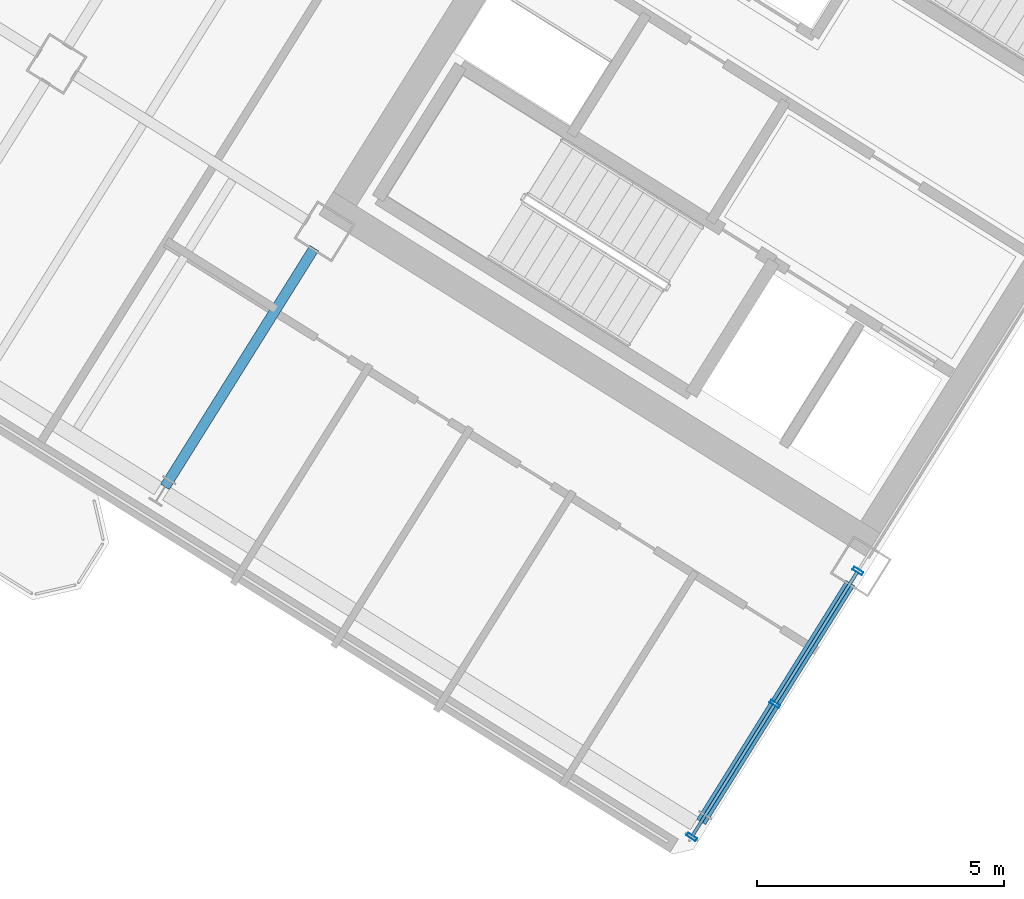
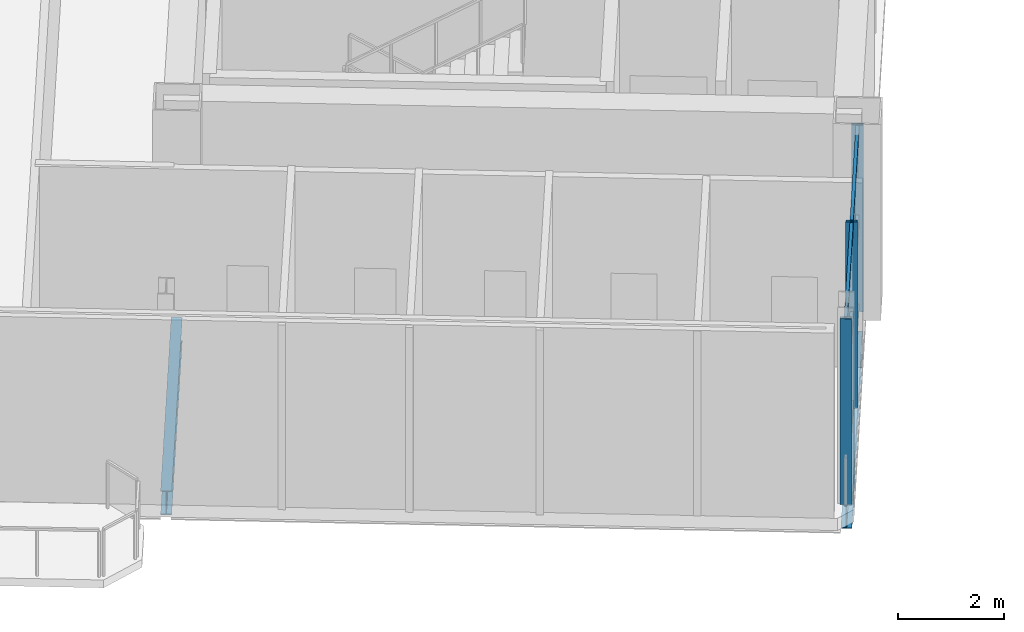
# One storey, part 6 of 18: 9 members, 2 beams, 1 element without a shape of its own.
"""IFC4 building model written with IfcOpenShell, lengths in metres."""

from ifc_helpers import new_model, si_unit, direction, frame, origin, origin_2d, place, context, subcontext, project, spatial, hollow_rectangle, i_section, extrude, source, transform, mapped, material, material_profile, profile_set, type_object, element, aggregate, save


model = new_model("IFC4")

# Units and contexts
model_context = context("Model", 3, precision=1e-05, world=origin(), true_north=direction((0.0, 1.0)))
body_context = subcontext(model_context, "Body", "Model", "MODEL_VIEW")
ifc_project = project(units=[si_unit("LENGTHUNIT", "METRE"), si_unit("AREAUNIT", "SQUARE_METRE"), si_unit("VOLUMEUNIT", "CUBIC_METRE"), si_unit("PLANEANGLEUNIT", "RADIAN"), si_unit("MASSUNIT", "GRAM", prefix="KILO")], contexts=[model_context])

# Site, building, storey
site_placement = place(None, origin())
site = spatial("IfcSite", under=ifc_project, at=site_placement, CompositionType="ELEMENT")
building_placement = place(site_placement, origin())
building = spatial("IfcBuilding", under=site, at=building_placement, Name="Tlacorven Tower", CompositionType="ELEMENT")
storey_placement = place(building_placement, frame((0.0, 0.0, 136.199951171875)))
storey = spatial("IfcBuildingStorey", under=building, at=storey_placement, Name="L34", CompositionType="ELEMENT", Elevation=136.199951171875)

# Beams
ifc_material_1 = material(Name="Steel S355J2", Category="steel")
ifc_material_profile_1 = material_profile(ifc_material_1, i_section(OverallWidth=0.2099609375, OverallDepth=0.550048828125, WebThickness=0.010986328125, FlangeThickness=0.01708984375, at=origin_2d()), Name="IPE 550")
ifc_profile_set_1 = profile_set([ifc_material_profile_1], Name="Steel S355J2")
beam_type = type_object("IfcBeamType", Name="BM-TWR-550", PredefinedType="BEAM", material=ifc_profile_set_1)
shared_shape_1 = source(origin(), body_context, "Body", "SweptSolid", [
    extrude(i_section(OverallWidth=0.2099609375, OverallDepth=0.550048828125, WebThickness=0.010986328125, FlangeThickness=0.01708984375, at=origin_2d()), origin(), (0.0, 0.0, 1.0), 5.699951171875),
])
for number, where, z_axis, x_axis, name in (
    (1, (32.834228515625, 11.74755859375, -0.554931640625), (-0.529925785607, -0.848044021115, 0.0), (0.848044021115, -0.529925785607, 0.0), "L34 beam BM-L34-WT1-2"),
    (2, (21.979248046875, 18.530517578125, -0.554931640625), (-0.5299565889, -0.848024771974, 0.0), (0.848024771974, -0.5299565889, 0.0), "L34 beam BM-L34-WT3-2"),
):
    element("IfcBeam", number, at=place(storey_placement, frame(where, z_axis=z_axis, x_axis=x_axis)), inside=storey, type_object=beam_type, Name=name, PredefinedType="BEAM", context=body_context, shape_type="MappedRepresentation", body=[
        mapped(shared_shape_1, transform((0.0, 0.0, 0.0), scale=1.0)),
    ])

# Curtain wall, members
ifc_material_2 = material(Name="Dark solar low-E double glazing in aluminium frame", Category="aluminium")
curtain_wall_type = type_object("IfcCurtainWallType", Name="CW-COM-AMENITY", PredefinedType="USERDEFINED", material=ifc_material_2)
curtain_wall_placement = place(storey_placement, origin())
curtain_wall = element("IfcCurtainWall", 3, at=curtain_wall_placement, inside=storey, type_object=curtain_wall_type, Name="L34 CW-COM-AMENITY Curtain Wall 159", ObjectType="UNITISED CURTAIN WALL", PredefinedType="USERDEFINED")
ifc_material_3 = material(Name="Aluminium 6063-T6 anodised", Category="aluminium")
ifc_material_profile_2 = material_profile(ifc_material_3, hollow_rectangle(XDim=0.070068359375, YDim=0.219970703125, WallThickness=0.0048828125, at=origin_2d()), Name="ALU MULLION 70X220")
ifc_profile_set_2 = profile_set([ifc_material_profile_2], Name="Aluminium 6063-T6 anodised")
member_type_1 = type_object("IfcMemberType", Name="CWM-01", PredefinedType="MULLION", material=ifc_profile_set_2)
shared_shape_2 = source(origin(), body_context, "Body", "SweptSolid", [
    extrude(hollow_rectangle(XDim=0.070068359375, YDim=0.219970703125, WallThickness=0.0048828125, at=origin_2d()), origin(), (0.0, 0.0, 1.0), 4.280029296875),
])
member_1_placement = place(storey_placement, frame((32.98779296875, 11.99365234375, -0.02001953125), z_axis=(0.0, 0.0, 1.0), x_axis=(-0.529919272078, -0.848048091255, 0.0)))
member_1 = element("IfcMember", 4, at=member_1_placement, type_object=member_type_1, Name="CW-L34-159 Mullion 1", PredefinedType="MULLION", context=body_context, shape_type="MappedRepresentation", body=[
    mapped(shared_shape_2, transform((0.0, 0.0, 0.0), scale=1.0)),
])
member_2_placement = place(storey_placement, frame((31.3056640625, 9.301513671875, -0.02001953125), z_axis=(0.0, 0.0, 1.0), x_axis=(-0.529919272078, -0.848048091255, 0.0)))
member_2 = element("IfcMember", 5, at=member_2_placement, type_object=member_type_1, Name="CW-L34-159 Mullion 2", PredefinedType="MULLION", context=body_context, shape_type="MappedRepresentation", body=[
    mapped(shared_shape_2, transform((0.0, 0.0, 0.0), scale=1.0)),
])
member_3_placement = place(storey_placement, frame((29.62353515625, 6.609619140625, -0.02001953125), z_axis=(0.0, 0.0, 1.0), x_axis=(-0.529919272078, -0.848048091255, 0.0)))
member_3 = element("IfcMember", 6, at=member_3_placement, type_object=member_type_1, Name="CW-L34-159 Mullion 3", PredefinedType="MULLION", context=body_context, shape_type="MappedRepresentation", body=[
    mapped(shared_shape_2, transform((0.0, 0.0, 0.0), scale=1.0)),
])
ifc_material_profile_3 = material_profile(ifc_material_3, hollow_rectangle(XDim=0.06494140625, YDim=0.159912109375, WallThickness=0.00390625, at=origin_2d()), Name="ALU TRANSOM 65X160")
ifc_profile_set_3 = profile_set([ifc_material_profile_3], Name="Aluminium 6063-T6 anodised")
member_type_2 = type_object("IfcMemberType", Name="CWT-01", PredefinedType="USERDEFINED", material=ifc_profile_set_3)
shared_shape_3 = source(origin(), body_context, "Body", "SweptSolid", [
    extrude(hollow_rectangle(XDim=0.06494140625, YDim=0.159912109375, WallThickness=0.00390625, at=origin_2d()), origin(), (0.0, 0.0, 1.0), 3.12841796875),
])
member_4_placement = place(storey_placement, frame((32.9755859375, 11.97412109375, 0.080078125), z_axis=(-0.529893713032, -0.848064061784, 0.0), x_axis=(0.848064061784, -0.529893713032, 0.0)))
member_4 = element("IfcMember", 7, at=member_4_placement, type_object=member_type_2, Name="CW-L34-159 Transom 1", ObjectType="TRANSOM", PredefinedType="USERDEFINED", context=body_context, shape_type="MappedRepresentation", body=[
    mapped(shared_shape_3, transform((0.0, 0.0, 0.0), scale=1.0)),
])
member_5_placement = place(storey_placement, frame((32.9755859375, 11.97412109375, 2.125), z_axis=(-0.529893713032, -0.848064061784, 0.0), x_axis=(0.848064061784, -0.529893713032, 0.0)))
member_5 = element("IfcMember", 8, at=member_5_placement, type_object=member_type_2, Name="CW-L34-159 Transom 2", ObjectType="TRANSOM", PredefinedType="USERDEFINED", context=body_context, shape_type="MappedRepresentation", body=[
    mapped(shared_shape_3, transform((0.0, 0.0, 0.0), scale=1.0)),
])
member_6_placement = place(storey_placement, frame((32.9755859375, 11.97412109375, 4.170166015625), z_axis=(-0.529893713032, -0.848064061784, 0.0), x_axis=(0.848064061784, -0.529893713032, 0.0)))
member_6 = element("IfcMember", 9, at=member_6_placement, type_object=member_type_2, Name="CW-L34-159 Transom 3", ObjectType="TRANSOM", PredefinedType="USERDEFINED", context=body_context, shape_type="MappedRepresentation", body=[
    mapped(shared_shape_3, transform((0.0, 0.0, 0.0), scale=1.0)),
])
shared_shape_4 = source(origin(), body_context, "Body", "SweptSolid", [
    extrude(hollow_rectangle(XDim=0.06494140625, YDim=0.159912109375, WallThickness=0.00390625, at=origin_2d()), origin(), (0.0, 0.0, 1.0), 3.128173828125),
])
member_7_placement = place(storey_placement, frame((31.29345703125, 9.281982421875, 0.080078125), z_axis=(-0.529928784952, -0.848042146877, 0.0), x_axis=(0.848042146877, -0.529928784952, 0.0)))
member_7 = element("IfcMember", 10, at=member_7_placement, type_object=member_type_2, Name="CW-L34-159 Transom 4", ObjectType="TRANSOM", PredefinedType="USERDEFINED", context=body_context, shape_type="MappedRepresentation", body=[
    mapped(shared_shape_4, transform((0.0, 0.0, 0.0), scale=1.0)),
])
member_8_placement = place(storey_placement, frame((31.29345703125, 9.281982421875, 2.125), z_axis=(-0.529928784952, -0.848042146877, 0.0), x_axis=(0.848042146877, -0.529928784952, 0.0)))
member_8 = element("IfcMember", 11, at=member_8_placement, type_object=member_type_2, Name="CW-L34-159 Transom 5", ObjectType="TRANSOM", PredefinedType="USERDEFINED", context=body_context, shape_type="MappedRepresentation", body=[
    mapped(shared_shape_4, transform((0.0, 0.0, 0.0), scale=1.0)),
])
member_9_placement = place(storey_placement, frame((31.29345703125, 9.281982421875, 4.170166015625), z_axis=(-0.529928784952, -0.848042146877, 0.0), x_axis=(0.848042146877, -0.529928784952, 0.0)))
member_9 = element("IfcMember", 12, at=member_9_placement, type_object=member_type_2, Name="CW-L34-159 Transom 6", ObjectType="TRANSOM", PredefinedType="USERDEFINED", context=body_context, shape_type="MappedRepresentation", body=[
    mapped(shared_shape_4, transform((0.0, 0.0, 0.0), scale=1.0)),
])
aggregate(curtain_wall, [member_1, member_2, member_3, member_4, member_5, member_6, member_7, member_8, member_9])

save(model, "model.ifc")
